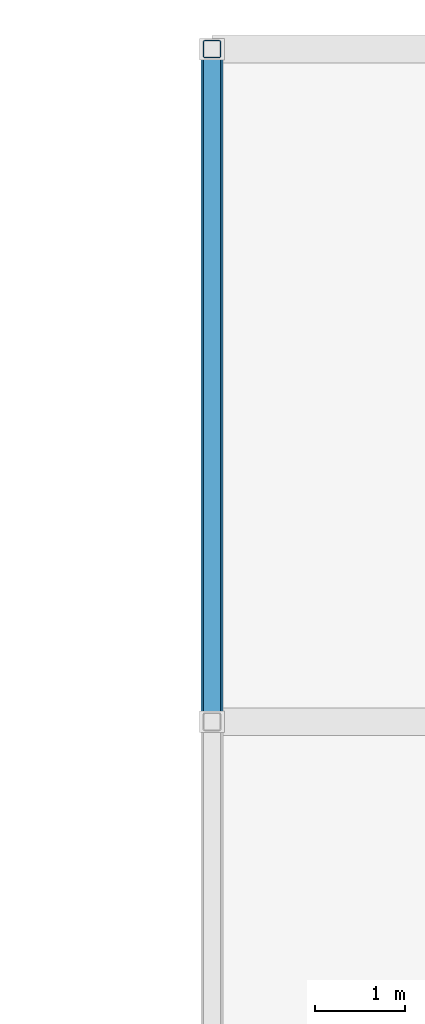
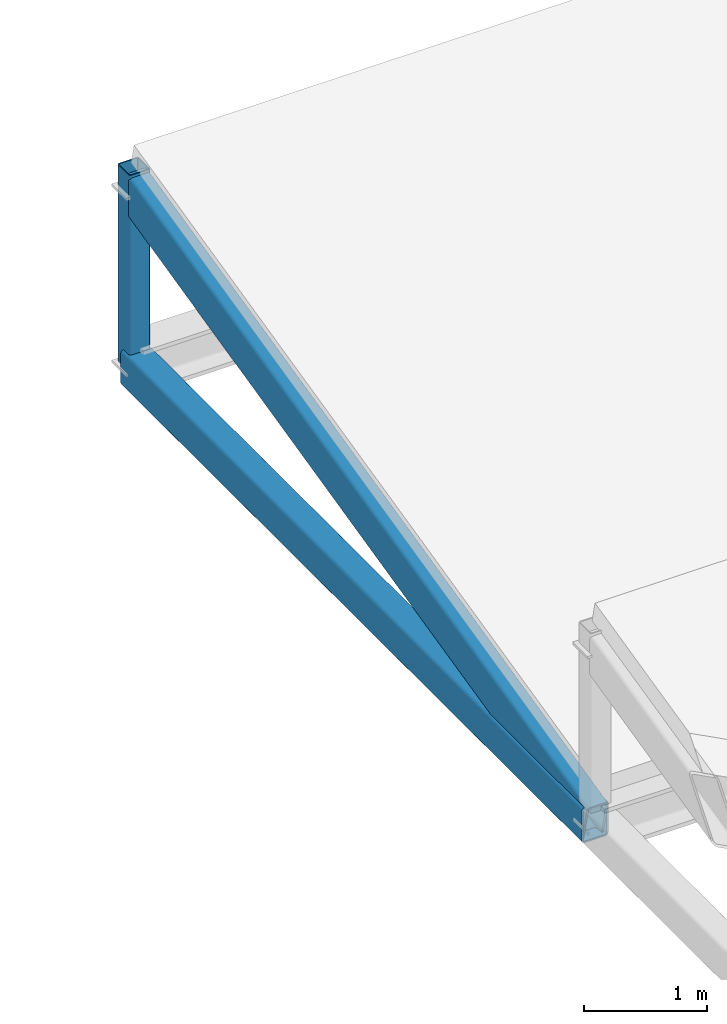
# One storey, part 39 of 82: 3 members.
"""IFC4 building model written with IfcOpenShell, lengths in metres."""

from ifc_helpers import new_model, si_unit, direction, frame, origin, origin_2d, place, context, subcontext, project, spatial, hollow_rectangle, extrude, material, material_profile, profile_set, type_object, element, save


model = new_model("IFC4")

# Units and contexts
model_context = context("Model", 3, precision=1e-05, world=origin(), true_north=direction((0.0, 1.0)))
body_context = subcontext(model_context, "Body", "Model", "MODEL_VIEW")
ifc_project = project(units=[si_unit("LENGTHUNIT", "METRE"), si_unit("AREAUNIT", "SQUARE_METRE"), si_unit("VOLUMEUNIT", "CUBIC_METRE"), si_unit("PLANEANGLEUNIT", "RADIAN"), si_unit("MASSUNIT", "GRAM", prefix="KILO")], contexts=[model_context])

# Site, building, storey
site_placement = place(None, origin())
site = spatial("IfcSite", under=ifc_project, at=site_placement, CompositionType="ELEMENT")
building_placement = place(site_placement, origin())
building = spatial("IfcBuilding", under=site, at=building_placement, Name="Qasida Concert Hall", CompositionType="ELEMENT")
storey_placement = place(building_placement, frame((0.0, 0.0, 17.10009765625)))
storey = spatial("IfcBuildingStorey", under=building, at=storey_placement, Name="L04", CompositionType="ELEMENT", Elevation=17.10009765625)

# Members
ifc_material = material(Name="Steel S355J2", Category="steel")
ifc_material_profile_1 = material_profile(ifc_material, hollow_rectangle(XDim=0.199951171875, YDim=0.39990234375, WallThickness=0.01611328125, InnerFilletRadius=0.01611328125, OuterFilletRadius=0.031982421875, at=origin_2d()), Name="RHS 400x200x16")
ifc_profile_set_1 = profile_set([ifc_material_profile_1], Name="Steel S355J2")
member_type_1 = type_object("IfcMemberType", Name="MB-CH4", PredefinedType="CHORD", material=ifc_profile_set_1)
member_1_placement = place(storey_placement, frame((127.5, 105.0, 0.0), z_axis=(0.0, 0.973841209742, 0.227229615606), x_axis=(-1.0, 0.0, 0.0)))
element("IfcMember", 1, at=member_1_placement, inside=storey, type_object=member_type_1, Name="Roof truss sawtooth rafter V4R-086", PredefinedType="CHORD", context=body_context, shape_type="SweptSolid", body=[
    extrude(hollow_rectangle(XDim=0.199951171875, YDim=0.39990234375, WallThickness=0.01611328125, InnerFilletRadius=0.01611328125, OuterFilletRadius=0.031982421875, at=origin_2d()), origin(), (0.0, 0.0, 1.0), 7.701416015625),
])
ifc_material_profile_2 = material_profile(ifc_material, hollow_rectangle(XDim=0.25, YDim=0.35009765625, WallThickness=0.01611328125, InnerFilletRadius=0.01611328125, OuterFilletRadius=0.031982421875, at=origin_2d()), Name="RHS 350x250x16")
ifc_profile_set_2 = profile_set([ifc_material_profile_2], Name="Steel S355J2")
member_type_2 = type_object("IfcMemberType", Name="MB-CH5", PredefinedType="CHORD", material=ifc_profile_set_2)
member_2_placement = place(storey_placement, frame((127.5, 105.0, 0.0), z_axis=(0.0, 1.0, 0.0), x_axis=(-1.0, 0.0, 0.0)))
element("IfcMember", 2, at=member_2_placement, inside=storey, type_object=member_type_2, Name="Roof truss sawtooth tie V4B-085", PredefinedType="CHORD", context=body_context, shape_type="SweptSolid", body=[
    extrude(hollow_rectangle(XDim=0.25, YDim=0.35009765625, WallThickness=0.01611328125, InnerFilletRadius=0.01611328125, OuterFilletRadius=0.031982421875, at=origin_2d()), origin(), (0.0, 0.0, 1.0), 7.5),
])
ifc_material_profile_3 = material_profile(ifc_material, hollow_rectangle(XDim=0.199951171875, YDim=0.199951171875, WallThickness=0.010009765625, InnerFilletRadius=0.010009765625, OuterFilletRadius=0.02001953125, at=origin_2d()), Name="SHS 200x200x10")
ifc_profile_set_3 = profile_set([ifc_material_profile_3], Name="Steel S355J2")
member_type_3 = type_object("IfcMemberType", Name="MB-ST6", PredefinedType="STRUT", material=ifc_profile_set_3)
member_3_placement = place(storey_placement, frame((127.5, 112.5, 0.0), z_axis=(0.0, 0.0, 1.0), x_axis=(1.0, 0.0, 0.0)))
element("IfcMember", 3, at=member_3_placement, inside=storey, type_object=member_type_3, Name="Roof truss sawtooth post V4V-087", PredefinedType="STRUT", context=body_context, shape_type="SweptSolid", body=[
    extrude(hollow_rectangle(XDim=0.199951171875, YDim=0.199951171875, WallThickness=0.010009765625, InnerFilletRadius=0.010009765625, OuterFilletRadius=0.02001953125, at=origin_2d()), origin(), (0.0, 0.0, 1.0), 1.9599609375),
])

save(model, "model.ifc")
